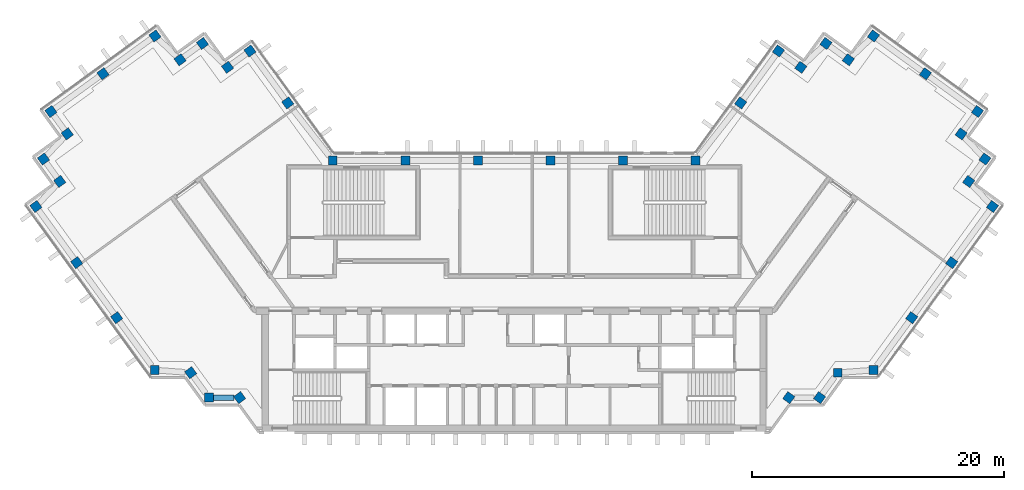
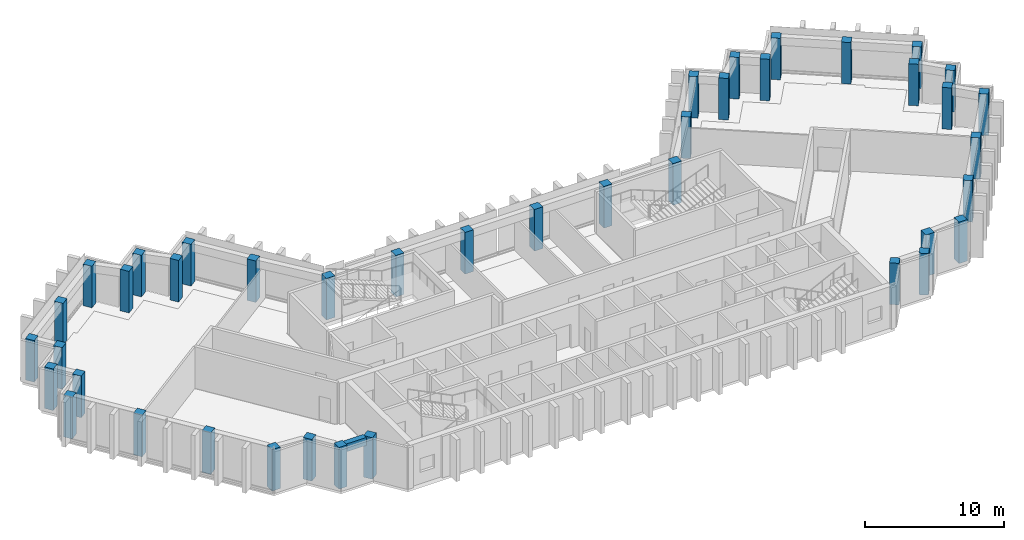
# One storey, part 1 of 10: 42 columns, 1 beam.
"""IFC4 building model written with IfcOpenShell, lengths in metres."""

from ifc_helpers import new_model, si_unit, direction, frame, origin, origin_2d, place, context, subcontext, project, spatial, rectangle, extrude, material, material_profile, profile_set, type_object, element, save


model = new_model("IFC4")

# Units and contexts
model_context = context("Model", 3, precision=1e-05, world=origin(), true_north=direction((0.0, 1.0)))
body_context = subcontext(model_context, "Body", "Model", "MODEL_VIEW")
ifc_project = project(units=[si_unit("LENGTHUNIT", "METRE"), si_unit("AREAUNIT", "SQUARE_METRE"), si_unit("VOLUMEUNIT", "CUBIC_METRE"), si_unit("PLANEANGLEUNIT", "RADIAN"), si_unit("MASSUNIT", "GRAM", prefix="KILO")], contexts=[model_context])

# Site, building, storey
site_placement = place(None, origin())
site = spatial("IfcSite", under=ifc_project, at=site_placement, CompositionType="ELEMENT")
building_placement = place(site_placement, origin())
building = spatial("IfcBuilding", under=site, at=building_placement, Name="Quipu Civic Tower", CompositionType="ELEMENT")
storey_placement = place(building_placement, frame((0.0, 0.0, 253.0)))
storey = spatial("IfcBuildingStorey", under=building, at=storey_placement, Name="L59", CompositionType="ELEMENT", Elevation=253.0)

# Columns
ifc_material_1 = material(Name="Concrete C50/60", Category="concrete")
ifc_material_profile_1 = material_profile(ifc_material_1, rectangle(XDim=0.699951171875, YDim=0.699951171875, at=origin_2d()), Name="RC700x700")
ifc_profile_set_1 = profile_set([ifc_material_profile_1], Name="Concrete C50/60")
column_type = type_object("IfcColumnType", Name="Perimeter column RC 700x700 C50/60", PredefinedType="COLUMN", material=ifc_profile_set_1)
for number, where, z_axis, x_axis, name in (
    (1, (-17.9736328125, 15.074951171875, 0.0), (0.0, 0.0, 1.0), (-0.587785252292, 0.809016994375, 0.0), "Column L59 W-IN-01"),
    (2, (-20.969970703125, 19.195068359375, 0.0), (0.0, 0.0, 1.0), (-0.587785252292, 0.809016994375, 0.0), "Column L59 T-Wi.0-W22"),
    (3, (-22.749267578125, 17.904296875, 0.0), (0.0, 0.0, 1.0), (-0.587785252292, 0.809016994375, 0.0), "Column L59 T-Wi.1-W22"),
    (4, (-24.739990234375, 19.794921875, 0.0), (0.0, 0.0, 1.0), (-0.587785252292, 0.809016994375, 0.0), "Column L59 T-Wi.2-W22"),
    (5, (-26.51904296875, 18.50048828125, 0.0), (0.0, 0.0, 1.0), (-0.587785252292, 0.809016994375, 0.0), "Column L59 T-Wi.3-W22"),
    (6, (-28.510009765625, 20.389892578125, 0.0), (0.0, 0.0, 1.0), (-0.809016994375, -0.587785252292, 0.0), "Column L59 T-Wi.4-W22"),
    (7, (-32.636962890625, 17.39306640625, 0.0), (0.0, 0.0, 1.0), (-0.809016994375, -0.587785252292, 0.0), "Column L59 TIP-W-01-W22"),
    (8, (-36.764892578125, 14.39501953125, 0.0), (0.0, 0.0, 1.0), (0.587785252292, -0.809016994375, 0.0), "Column L59 T-Wo.0-W22"),
    (9, (-35.470703125, 12.616455078125, 0.0), (0.0, 0.0, 1.0), (-0.809016994375, -0.587785252292, 0.0), "Column L59 T-Wo.1-W22"),
    (10, (-37.360107421875, 10.625, 0.0), (0.0, 0.0, 1.0), (0.587785252292, -0.809016994375, 0.0), "Column L59 T-Wo.2-W22"),
    (11, (-36.068115234375, 8.843994140625, 0.0), (0.0, 0.0, 1.0), (0.587785252292, -0.809016994375, 0.0), "Column L59 T-Wo.3-W22"),
    (12, (-37.9599609375, 6.85498046875, 0.0), (0.0, 0.0, 1.0), (0.587785252292, -0.809016994375, 0.0), "Column L59 T-Wo.4-W22"),
    (13, (-34.722412109375, 2.39990234375, 0.0), (0.0, 0.0, 1.0), (0.587785252292, -0.809016994375, 0.0), "Column L59 W-OUT-02"),
    (14, (-31.54833984375, -1.96875, 0.0), (0.0, 0.0, 1.0), (0.587785252292, -0.809016994375, 0.0), "Column L59 W-OUT-01"),
    (15, (-28.52490234375, -6.1298828125, 0.0), (0.0, 0.0, 1.0), (1.0, 0.0, 0.0), "Column L59 J-Wo.0"),
    (16, (-25.67431640625, -6.3369140625, 0.0), (0.0, 0.0, 1.0), (0.587785252292, -0.809016994375, 0.0), "Column L59 J-Wo.1"),
    (17, (-24.235107421875, -8.31494140625, 0.0), (0.0, 0.0, 1.0), (1.0, 0.0, 0.0), "Column L59 J-Wo.2"),
    (18, (-21.791748046875, -8.31494140625, 0.0), (0.0, 0.0, 1.0), (0.587785252292, -0.809016994375, 0.0), "Column L59 J-Wo.3"),
    (19, (21.791748046875, -8.31494140625, 0.0), (0.0, 0.0, 1.0), (0.587785252292, 0.809016994375, 0.0), "Column L59 J-Eo.1"),
    (20, (24.235107421875, -8.31494140625, 0.0), (0.0, 0.0, 1.0), (0.587785252292, 0.809016994375, 0.0), "Column L59 J-Eo.2"),
    (21, (25.67431640625, -6.3369140625, 0.0), (0.0, 0.0, 1.0), (1.0, 0.0, 0.0), "Column L59 J-Eo.3"),
    (22, (28.52490234375, -6.1298828125, 0.0), (0.0, 0.0, 1.0), (1.0, 0.0, 0.0), "Column L59 J-Eo.4"),
    (23, (31.54833984375, -1.96875, 0.0), (0.0, 0.0, 1.0), (0.587785252292, 0.809016994375, 0.0), "Column L59 E-OUT-01"),
    (24, (34.722412109375, 2.39990234375, 0.0), (0.0, 0.0, 1.0), (0.587785252292, 0.809016994375, 0.0), "Column L59 E-OUT-02"),
    (25, (37.9599609375, 6.85498046875, 0.0), (0.0, 0.0, 1.0), (0.587785252292, 0.809016994375, 0.0), "Column L59 T-Eo.0-E22"),
    (26, (36.068115234375, 8.843994140625, 0.0), (0.0, 0.0, 1.0), (0.587785252292, 0.809016994375, 0.0), "Column L59 T-Eo.1-E22"),
    (27, (37.360107421875, 10.625, 0.0), (0.0, 0.0, 1.0), (0.587785252292, 0.809016994375, 0.0), "Column L59 T-Eo.2-E22"),
    (28, (35.470703125, 12.616455078125, 0.0), (0.0, 0.0, 1.0), (-0.809016994375, 0.587785252292, 0.0), "Column L59 T-Eo.3-E22"),
    (29, (36.764892578125, 14.39501953125, 0.0), (0.0, 0.0, 1.0), (-0.809016994375, 0.587785252292, 0.0), "Column L59 T-Eo.4-E22"),
    (30, (32.636962890625, 17.39306640625, 0.0), (0.0, 0.0, 1.0), (-0.809016994375, 0.587785252292, 0.0), "Column L59 TIP-E-01-E22"),
    (31, (28.510009765625, 20.389892578125, 0.0), (0.0, 0.0, 1.0), (-0.587785252292, -0.809016994375, 0.0), "Column L59 T-Ei.0-E22"),
    (32, (26.51904296875, 18.50048828125, 0.0), (0.0, 0.0, 1.0), (-0.809016994375, 0.587785252292, 0.0), "Column L59 T-Ei.1-E22"),
    (33, (24.739990234375, 19.794921875, 0.0), (0.0, 0.0, 1.0), (-0.587785252292, -0.809016994375, 0.0), "Column L59 T-Ei.2-E22"),
    (34, (22.749267578125, 17.904296875, 0.0), (0.0, 0.0, 1.0), (-0.587785252292, -0.809016994375, 0.0), "Column L59 T-Ei.3-E22"),
    (35, (20.969970703125, 19.195068359375, 0.0), (0.0, 0.0, 1.0), (-0.587785252292, -0.809016994375, 0.0), "Column L59 T-Ei.4-E22"),
    (36, (17.9736328125, 15.074951171875, 0.0), (0.0, 0.0, 1.0), (-0.587785252292, -0.809016994375, 0.0), "Column L59 E-IN-01"),
    (37, (14.395263671875, 10.5, 0.0), (0.0, 0.0, 1.0), (-1.0, 0.0, 0.0), "Column L59 J-Ei.0"),
    (38, (8.63720703125, 10.5, 0.0), (0.0, 0.0, 1.0), (-1.0, 0.0, 0.0), "Column L59 FRONT-01"),
    (39, (2.87890625, 10.5, 0.0), (0.0, 0.0, 1.0), (-1.0, 0.0, 0.0), "Column L59 FRONT-02"),
    (40, (-2.87890625, 10.5, 0.0), (0.0, 0.0, 1.0), (-1.0, 0.0, 0.0), "Column L59 FRONT-03"),
    (41, (-8.63720703125, 10.5, 0.0), (0.0, 0.0, 1.0), (-1.0, 0.0, 0.0), "Column L59 FRONT-04"),
    (42, (-14.395263671875, 10.5, 0.0), (0.0, 0.0, 1.0), (-1.0, 0.0, 0.0), "Column L59 J-Wi.0"),
):
    element("IfcColumn", number, at=place(storey_placement, frame(where, z_axis=z_axis, x_axis=x_axis)), inside=storey, type_object=column_type, Name=name, PredefinedType="COLUMN", context=body_context, shape_type="SweptSolid", body=[
        extrude(rectangle(XDim=0.699951171875, YDim=0.699951171875, at=origin_2d()), origin(), (0.0, 0.0, 1.0), 3.64990234375),
    ])

# Beam
ifc_material_2 = material(Name="Concrete C50/60", Category="concrete")
ifc_material_profile_2 = material_profile(ifc_material_2, rectangle(XDim=0.449951171875, YDim=0.699951171875, at=origin_2d()), Name="RC450x700")
ifc_profile_set_2 = profile_set([ifc_material_profile_2], Name="Concrete C50/60")
beam_type = type_object("IfcBeamType", Name="Spandrel beam RC 450x700 C50/60", PredefinedType="SPANDREL", material=ifc_profile_set_2)
beam_placement = place(storey_placement, frame((-23.885009765625, -8.31494140625, 3.300048828125), z_axis=(1.0, 0.0, 0.0), x_axis=(0.0, 1.0, 0.0)))
element("IfcBeam", 43, at=beam_placement, inside=storey, type_object=beam_type, Name="Spandrel beam L59 J-Wo.2 to J-Wo.3", PredefinedType="SPANDREL", context=body_context, shape_type="SweptSolid", body=[
    extrude(rectangle(XDim=0.449951171875, YDim=0.699951171875, at=origin_2d()), origin(), (0.0, 0.0, 1.0), 1.66064453125),
])

save(model, "model.ifc")
